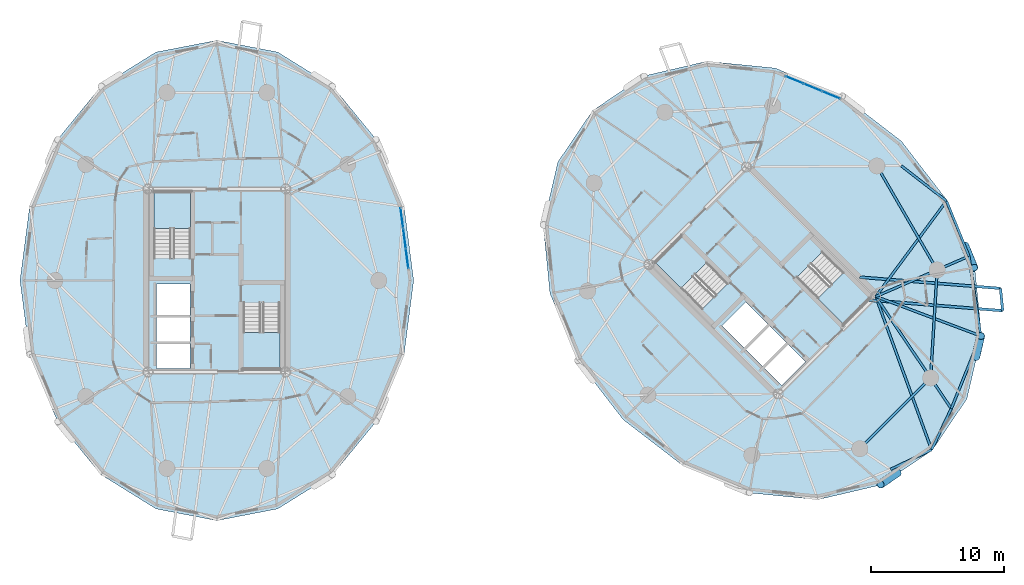
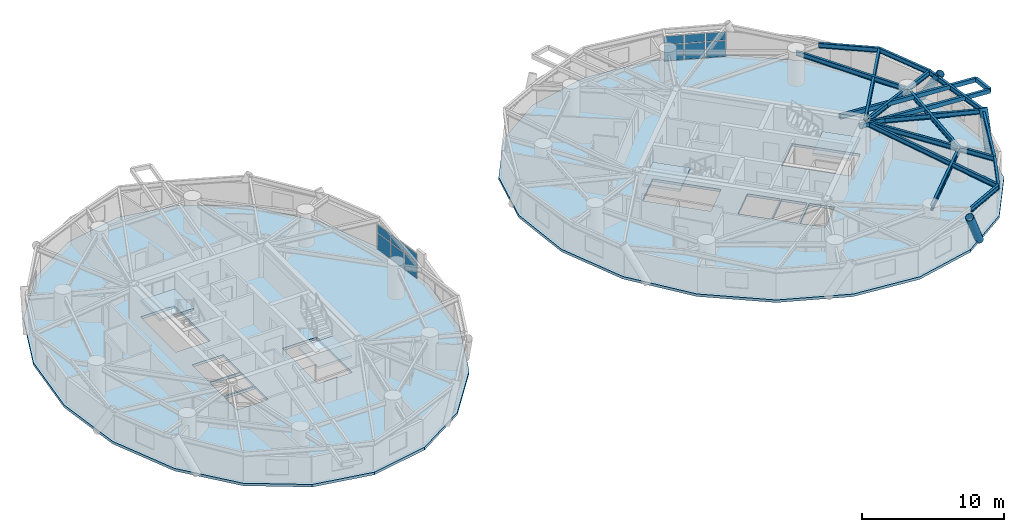
# One storey, part 9 of 18: 17 beams, 12 plates, 6 slabs, 3 members, 6 elements without a shape of their own.
"""IFC4 building model written with IfcOpenShell, lengths in metres."""

from ifc_helpers import new_model, si_unit, direction, frame, origin, origin_2d, place, context, subcontext, project, spatial, polyline, rectangle, hollow_rectangle, hollow_circle, i_section, outline, extrude, source, transform, mapped, material, layer, layer_set, material_profile, profile_set, type_object, element, aggregate, save


model = new_model("IFC4")

# Units and contexts
model_context = context("Model", 3, precision=1e-05, world=origin(), true_north=direction((0.0, 1.0)))
body_context = subcontext(model_context, "Body", "Model", "MODEL_VIEW")
ifc_project = project(units=[si_unit("LENGTHUNIT", "METRE"), si_unit("AREAUNIT", "SQUARE_METRE"), si_unit("VOLUMEUNIT", "CUBIC_METRE"), si_unit("PLANEANGLEUNIT", "RADIAN"), si_unit("MASSUNIT", "GRAM", prefix="KILO")], contexts=[model_context])

# Site, building, storey
site_placement = place(None, origin())
site = spatial("IfcSite", under=ifc_project, at=site_placement, CompositionType="ELEMENT")
building_placement = place(site_placement, origin())
building = spatial("IfcBuilding", under=site, at=building_placement, Name="Cununo Teusaquillo Station Towers", CompositionType="ELEMENT")
storey_placement = place(building_placement, frame((0.0, 0.0, 157.419921875)))
storey = spatial("IfcBuildingStorey", under=building, at=storey_placement, Name="L49", CompositionType="ELEMENT", Elevation=157.419921875)

# Beams
ifc_material_1 = material(Name="Steel EN 10025-2 S355J2", Category="steel")
ifc_material_profile_1 = material_profile(ifc_material_1, hollow_rectangle(XDim=0.199951171875, YDim=0.35009765625, WallThickness=0.013916015625, at=origin_2d()), Name="RHS 350x200x14")
ifc_profile_set_1 = profile_set([ifc_material_profile_1], Name="Steel EN 10025-2 S355J2")
beam_type_1 = type_object("IfcBeamType", Name="BM-BAL-CANT", PredefinedType="BEAM", material=ifc_profile_set_1)
beam_1_placement = place(storey_placement, frame((65.439697265625, 23.03515625, 2.51513671875), z_axis=(0.996837639445, -0.079465216198, 0.0), x_axis=(0.079465216198, 0.996837639445, 0.0)))
element("IfcBeam", 1, at=beam_1_placement, inside=storey, type_object=beam_type_1, Name="L49 Tower B Balcony Cantilever Bracket 2A", PredefinedType="BEAM", context=body_context, shape_type="SweptSolid", body=[
    extrude(hollow_rectangle(XDim=0.199951171875, YDim=0.35009765625, WallThickness=0.013916015625, at=origin_2d()), origin(), (0.0, 0.0, 1.0), 10.154052734375),
])
beam_2_placement = place(storey_placement, frame((64.8173828125, 24.74853515625, 2.51513671875), z_axis=(0.996839446438, -0.079442545434, 0.0), x_axis=(0.079442545434, 0.996839446438, 0.0)))
element("IfcBeam", 2, at=beam_2_placement, inside=storey, type_object=beam_type_1, Name="L49 Tower B Balcony Cantilever Bracket 2B", PredefinedType="BEAM", context=body_context, shape_type="SweptSolid", body=[
    extrude(hollow_rectangle(XDim=0.199951171875, YDim=0.35009765625, WallThickness=0.013916015625, at=origin_2d()), origin(), (0.0, 0.0, 1.0), 10.611572265625),
])
ifc_material_2 = material(Name="Steel ASTM A572 Grade 50", Category="steel")
ifc_material_profile_2 = material_profile(ifc_material_2, i_section(OverallWidth=0.180908203125, OverallDepth=0.4169921875, WebThickness=0.010986328125, FlangeThickness=0.018310546875, FilletRadius=0.012939453125, at=origin_2d()), Name="W16X57")
ifc_profile_set_2 = profile_set([ifc_material_profile_2], Name="Steel ASTM A572 Grade 50")
beam_type_2 = type_object("IfcBeamType", Name="BM-JOIST-1", PredefinedType="JOIST", material=ifc_profile_set_2)
beam_3_placement = place(storey_placement, frame((66.024169921875, 23.29443359375, 2.481689453125), z_axis=(0.34241791496, -0.939547748395, 0.0), x_axis=(0.939547748395, 0.34241791496, 0.0)))
element("IfcBeam", 3, at=beam_3_placement, inside=storey, type_object=beam_type_2, Name="L49 Tower B Radial Spandrel Joist V15", PredefinedType="JOIST", context=body_context, shape_type="SweptSolid", body=[
    extrude(i_section(OverallWidth=0.180908203125, OverallDepth=0.4169921875, WebThickness=0.010986328125, FlangeThickness=0.018310546875, FilletRadius=0.012939453125, at=origin_2d()), origin(), (0.0, 0.0, 1.0), 12.25634765625),
])
beam_4_placement = place(storey_placement, frame((66.024169921875, 23.29443359375, 2.481689453125), z_axis=(0.936244635323, -0.351348805076, 0.0), x_axis=(0.351348805076, 0.936244635323, 0.0)))
element("IfcBeam", 4, at=beam_4_placement, inside=storey, type_object=beam_type_2, Name="L49 Tower B Radial Spandrel Joist V17", PredefinedType="JOIST", context=body_context, shape_type="SweptSolid", body=[
    extrude(i_section(OverallWidth=0.180908203125, OverallDepth=0.4169921875, WebThickness=0.010986328125, FlangeThickness=0.018310546875, FilletRadius=0.012939453125, at=origin_2d()), origin(), (0.0, 0.0, 1.0), 8.4287109375),
])
beam_5_placement = place(storey_placement, frame((66.024169921875, 23.29443359375, 2.481689453125), z_axis=(0.594834179272, 0.803848430471, 0.0), x_axis=(-0.803848430471, 0.594834179272, 0.0)))
element("IfcBeam", 5, at=beam_5_placement, inside=storey, type_object=beam_type_2, Name="L49 Tower B Radial Spandrel Joist V19", PredefinedType="JOIST", context=body_context, shape_type="SweptSolid", body=[
    extrude(i_section(OverallWidth=0.180908203125, OverallDepth=0.4169921875, WebThickness=0.010986328125, FlangeThickness=0.018310546875, FilletRadius=0.012939453125, at=origin_2d()), origin(), (0.0, 0.0, 1.0), 8.936767578125),
])
ifc_material_3 = material(Name="Steel ASTM A572 Grade 50", Category="steel")
ifc_material_profile_3 = material_profile(ifc_material_3, i_section(OverallWidth=0.180908203125, OverallDepth=0.4169921875, WebThickness=0.010986328125, FlangeThickness=0.018310546875, FilletRadius=0.012939453125, at=origin_2d()), Name="W16X57")
ifc_profile_set_3 = profile_set([ifc_material_profile_3], Name="Steel ASTM A572 Grade 50")
beam_type_3 = type_object("IfcBeamType", Name="BM-RAD-G2", PredefinedType="BEAM", material=ifc_profile_set_3)
beam_6_placement = place(storey_placement, frame((66.024169921875, 23.29443359375, 2.481689453125), z_axis=(0.558570687133, -0.829456923219, 0.0), x_axis=(0.829456923219, 0.558570687133, 0.0)))
element("IfcBeam", 6, at=beam_6_placement, inside=storey, type_object=beam_type_3, Name="L49 Tower B Continuous Overhanging Radial Girder 09", PredefinedType="BEAM", context=body_context, shape_type="SweptSolid", body=[
    extrude(i_section(OverallWidth=0.180908203125, OverallDepth=0.4169921875, WebThickness=0.010986328125, FlangeThickness=0.018310546875, FilletRadius=0.012939453125, at=origin_2d()), origin(), (0.0, 0.0, 1.0), 10.1591796875),
])
beam_7_placement = place(storey_placement, frame((66.024169921875, 23.29443359375, 2.481689453125), z_axis=(0.917655964072, 0.397375806515, 0.0), x_axis=(-0.397375806515, 0.917655964072, 0.0)))
element("IfcBeam", 7, at=beam_7_placement, inside=storey, type_object=beam_type_3, Name="L49 Tower B Continuous Overhanging Radial Girder 10", PredefinedType="BEAM", context=body_context, shape_type="SweptSolid", body=[
    extrude(i_section(OverallWidth=0.180908203125, OverallDepth=0.4169921875, WebThickness=0.010986328125, FlangeThickness=0.018310546875, FilletRadius=0.012939453125, at=origin_2d()), origin(), (0.0, 0.0, 1.0), 7.6318359375),
])
ifc_material_4 = material(Name="Steel ASTM A572 Grade 50", Category="steel")
ifc_material_profile_4 = material_profile(ifc_material_4, i_section(OverallWidth=0.180908203125, OverallDepth=0.4169921875, WebThickness=0.010986328125, FlangeThickness=0.018310546875, FilletRadius=0.012939453125, at=origin_2d()), Name="W16X57")
ifc_profile_set_4 = profile_set([ifc_material_profile_4], Name="Steel ASTM A572 Grade 50")
beam_type_4 = type_object("IfcBeamType", Name="BM-RING-Z3", PredefinedType="SPANDREL", material=ifc_profile_set_4)
beam_8_placement = place(storey_placement, frame((64.826904296875, 11.853759765625, 2.481689453125), z_axis=(0.707106781187, 0.707106781187, 0.0), x_axis=(-0.707106781187, 0.707106781187, 0.0)))
element("IfcBeam", 8, at=beam_8_placement, inside=storey, type_object=beam_type_4, Name="L49 Tower B Structural Column Ring Girder 08", PredefinedType="SPANDREL", context=body_context, shape_type="SweptSolid", body=[
    extrude(i_section(OverallWidth=0.180908203125, OverallDepth=0.4169921875, WebThickness=0.010986328125, FlangeThickness=0.018310546875, FilletRadius=0.012939453125, at=origin_2d()), origin(), (0.0, 0.0, 1.0), 7.522705078125),
])
beam_9_placement = place(storey_placement, frame((70.146240234375, 17.173095703125, 2.481689453125), z_axis=(0.06012979176, 0.998190567048, 0.0), x_axis=(-0.998190567048, 0.06012979176, 0.0)))
element("IfcBeam", 9, at=beam_9_placement, inside=storey, type_object=beam_type_4, Name="L49 Tower B Structural Column Ring Girder 09", PredefinedType="SPANDREL", context=body_context, shape_type="SweptSolid", body=[
    extrude(i_section(OverallWidth=0.180908203125, OverallDepth=0.4169921875, WebThickness=0.010986328125, FlangeThickness=0.018310546875, FilletRadius=0.012939453125, at=origin_2d()), origin(), (0.0, 0.0, 1.0), 8.132568359375),
])
beam_10_placement = place(storey_placement, frame((70.63525390625, 25.291015625, 2.481689453125), z_axis=(-0.501311121078, 0.865267103202, 0.0), x_axis=(-0.865267103202, -0.501311121078, 0.0)))
element("IfcBeam", 10, at=beam_10_placement, inside=storey, type_object=beam_type_4, Name="L49 Tower B Structural Column Ring Girder 10", PredefinedType="SPANDREL", context=body_context, shape_type="SweptSolid", body=[
    extrude(i_section(OverallWidth=0.180908203125, OverallDepth=0.4169921875, WebThickness=0.010986328125, FlangeThickness=0.018310546875, FilletRadius=0.012939453125, at=origin_2d()), origin(), (0.0, 0.0, 1.0), 9.032958984375),
])
for number, where, z_axis, x_axis, name in (
    (11, (67.132080078125, 10.30126953125, 2.481689453125), (0.902077503555, 0.431574069634, 0.0), (-0.431574069634, 0.902077503555, 0.0), "L49 Tower B Spandrel Ring Beam 15"),
    (12, (70.220947265625, 11.779052734375, 2.481689453125), (0.431574069634, 0.902077503555, 0.0), (-0.902077503555, 0.431574069634, 0.0), "L49 Tower B Spandrel Ring Beam 16"),
):
    element("IfcBeam", number, at=place(storey_placement, frame(where, z_axis=z_axis, x_axis=x_axis)), inside=storey, type_object=beam_type_4, Name=name, PredefinedType="SPANDREL", context=body_context, shape_type="SweptSolid", body=[
        extrude(i_section(OverallWidth=0.180908203125, OverallDepth=0.4169921875, WebThickness=0.010986328125, FlangeThickness=0.018310546875, FilletRadius=0.012939453125, at=origin_2d()), origin(), (0.0, 0.0, 1.0), 3.424072265625),
    ])
beam_11_placement = place(storey_placement, frame((71.69873046875, 14.867919921875, 2.481689453125), z_axis=(0.375882869104, 0.926667183359, 0.0), x_axis=(-0.926667183359, 0.375882869104, 0.0)))
element("IfcBeam", 13, at=beam_11_placement, inside=storey, type_object=beam_type_4, Name="L49 Tower B Spandrel Ring Beam 17", PredefinedType="SPANDREL", context=body_context, shape_type="SweptSolid", body=[
    extrude(i_section(OverallWidth=0.180908203125, OverallDepth=0.4169921875, WebThickness=0.010986328125, FlangeThickness=0.018310546875, FilletRadius=0.012939453125, at=origin_2d()), origin(), (0.0, 0.0, 1.0), 5.8974609375),
])
beam_12_placement = place(storey_placement, frame((73.91552734375, 20.3330078125, 2.481689453125), z_axis=(-0.146535519435, 0.989205409176, 0.0), x_axis=(-0.989205409176, -0.146535519435, 0.0)))
element("IfcBeam", 14, at=beam_12_placement, inside=storey, type_object=beam_type_4, Name="L49 Tower B Spandrel Ring Beam 18", PredefinedType="SPANDREL", context=body_context, shape_type="SweptSolid", body=[
    extrude(i_section(OverallWidth=0.180908203125, OverallDepth=0.4169921875, WebThickness=0.010986328125, FlangeThickness=0.018310546875, FilletRadius=0.012939453125, at=origin_2d()), origin(), (0.0, 0.0, 1.0), 6.0595703125),
])
beam_13_placement = place(storey_placement, frame((73.027587890625, 26.3271484375, 2.481689453125), z_axis=(-0.376588942192, 0.926380466449, 0.0), x_axis=(-0.926380466449, -0.376588942192, 0.0)))
element("IfcBeam", 15, at=beam_13_placement, inside=storey, type_object=beam_type_4, Name="L49 Tower B Spandrel Ring Beam 19", PredefinedType="SPANDREL", context=body_context, shape_type="SweptSolid", body=[
    extrude(i_section(OverallWidth=0.180908203125, OverallDepth=0.4169921875, WebThickness=0.010986328125, FlangeThickness=0.018310546875, FilletRadius=0.012939453125, at=origin_2d()), origin(), (0.0, 0.0, 1.0), 4.48095703125),
])
beam_14_placement = place(storey_placement, frame((71.340087890625, 30.478271484375, 2.481689453125), z_axis=(-0.789900716386, 0.613234749711, 0.0), x_axis=(-0.613234749711, -0.789900716386, 0.0)))
element("IfcBeam", 16, at=beam_14_placement, inside=storey, type_object=beam_type_4, Name="L49 Tower B Spandrel Ring Beam 20", PredefinedType="SPANDREL", context=body_context, shape_type="SweptSolid", body=[
    extrude(i_section(OverallWidth=0.180908203125, OverallDepth=0.4169921875, WebThickness=0.010986328125, FlangeThickness=0.018310546875, FilletRadius=0.012939453125, at=origin_2d()), origin(), (0.0, 0.0, 1.0), 4.3115234375),
])
ifc_material_5 = material(Name="Steel EN 10025-2 S355J2", Category="steel")
ifc_material_profile_5 = material_profile(ifc_material_5, hollow_rectangle(XDim=0.199951171875, YDim=0.35009765625, WallThickness=0.013916015625, at=origin_2d()), Name="RHS 350x200x14")
ifc_profile_set_5 = profile_set([ifc_material_profile_5], Name="Steel EN 10025-2 S355J2")
beam_type_5 = type_object("IfcBeamType", Name="BM-STAIR-TRIM", PredefinedType="BEAM", material=ifc_profile_set_5)
beam_15_placement = place(storey_placement, frame((75.5615234375, 22.228271484375, 2.525146484375), z_axis=(-0.098499739753, 0.995137076622, 0.0), x_axis=(-0.995137076622, -0.098499739753, 0.0)))
element("IfcBeam", 17, at=beam_15_placement, inside=storey, type_object=beam_type_5, Name="L49 Tower B Balcony Edge Trimmer Beam 2", PredefinedType="BEAM", context=body_context, shape_type="SweptSolid", body=[
    extrude(hollow_rectangle(XDim=0.199951171875, YDim=0.35009765625, WallThickness=0.013916015625, at=origin_2d()), origin(), (0.0, 0.0, 1.0), 1.685546875),
])

# Members
ifc_material_6 = material(Name="Steel EN 10025-2 S355J2", Category="steel")
ifc_material_profile_6 = material_profile(ifc_material_6, hollow_circle(Radius=0.304931640625, WallThickness=0.02001953125, at=origin_2d()), Name="CHS 610x20")
ifc_profile_set_6 = profile_set([ifc_material_profile_6], Name="Steel EN 10025-2 S355J2")
member_type = type_object("IfcMemberType", Name="MBR-DIAG-Z3", PredefinedType="BRACE", material=ifc_profile_set_6)
member_1_placement = place(storey_placement, frame((67.6591796875, 10.047607421875, -0.139892578125), z_axis=(-0.388691571721, -0.262733570973, 0.883113771129), x_axis=(0.560009784908, -0.828485993127, 0.0)))
element("IfcMember", 18, at=member_1_placement, inside=storey, type_object=member_type, Name="L49 Tower B Folded-Zigzag Diagrid Tube C14", PredefinedType="BRACE", context=body_context, shape_type="SweptSolid", body=[
    extrude(hollow_circle(Radius=0.304931640625, WallThickness=0.02001953125, at=origin_2d()), origin(), (0.0, 0.0, 1.0), 3.295166015625),
])
member_2_placement = place(storey_placement, frame((73.5498046875, 18.762451171875, -0.139892578125), z_axis=(0.109930319982, 0.472083944222, 0.874672552648), x_axis=(-0.973942735604, 0.226794064657, 0.0)))
element("IfcMember", 19, at=member_2_placement, inside=storey, type_object=member_type, Name="L49 Tower B Folded-Zigzag Diagrid Tube C16", PredefinedType="BRACE", context=body_context, shape_type="SweptSolid", body=[
    extrude(hollow_circle(Radius=0.304931640625, WallThickness=0.02001953125, at=origin_2d()), origin(), (0.0, 0.0, 1.0), 3.326904296875),
])
member_3_placement = place(storey_placement, frame((72.7177734375, 27.127685546875, -0.139892578125), z_axis=(0.200926042636, -0.488817947752, 0.848932117042), x_axis=(0.924912371546, 0.380180358463, 0.0)))
element("IfcMember", 20, at=member_3_placement, inside=storey, type_object=member_type, Name="L49 Tower B Folded-Zigzag Diagrid Tube C18", PredefinedType="BRACE", context=body_context, shape_type="SweptSolid", body=[
    extrude(hollow_circle(Radius=0.304931640625, WallThickness=0.02001953125, at=origin_2d()), origin(), (0.0, 0.0, 1.0), 3.427734375),
])

# Stair, slab
ifc_material_7 = material(Name="Concrete C50/60", Category="concrete")
stair_type = type_object("IfcStairType", Name="ST-TWR-1300", PredefinedType="HALF_TURN_STAIR", material=ifc_material_7)
stair_1_placement = place(storey_placement, origin())
stair_1 = element("IfcStair", 21, at=stair_1_placement, inside=storey, type_object=stair_type, Name="L49 Tower A Protected Core Exit Stair 1", PredefinedType="HALF_TURN_STAIR")
ifc_material_8 = material(Name="Concrete C50/60", Category="concrete")
ifc_layer_1 = layer(ifc_material_8, 0.199951171875)
ifc_layer_set_1 = layer_set([ifc_layer_1], Name="Concrete C50/60")
slab_type_1 = type_object("IfcSlabType", Name="SLB-STAIR-LND", PredefinedType="LANDING", material=ifc_layer_set_1)
slab_1_placement = place(storey_placement, frame((0.0, 0.0, 1.255126953125)))
slab_1 = element("IfcSlab", 22, at=slab_1_placement, type_object=slab_type_1, Name="ST-T1-1 landing 1", PredefinedType="LANDING", context=body_context, shape_type="SweptSolid", body=[
    extrude(outline(polyline([(14.52001953125, 28.409912109375), (14.52001953125, 31.159912109375), (11.760009765625, 31.159912109375), (11.760009765625, 28.409912109375), (14.52001953125, 28.409912109375)])), origin(), (0.0, 0.0, 1.0), 0.199951171875),
])
aggregate(stair_1, [slab_1])

stair_2_placement = place(storey_placement, origin())
stair_2 = element("IfcStair", 23, at=stair_2_placement, inside=storey, type_object=stair_type, Name="L49 Tower A Protected Core Exit Stair 2", PredefinedType="HALF_TURN_STAIR")
slab_2_placement = place(storey_placement, frame((0.0, 0.0, 1.255126953125)))
slab_2 = element("IfcSlab", 24, at=slab_2_placement, type_object=slab_type_1, Name="ST-T1-2 landing 1", PredefinedType="LANDING", context=body_context, shape_type="SweptSolid", body=[
    extrude(outline(polyline([(18.47998046875, 20.590087890625), (18.47998046875, 17.840087890625), (21.239990234375, 17.840087890625), (21.239990234375, 20.590087890625), (18.47998046875, 20.590087890625)])), origin(), (0.0, 0.0, 1.0), 0.199951171875),
])
aggregate(stair_2, [slab_2])

stair_3_placement = place(storey_placement, origin())
stair_3 = element("IfcStair", 25, at=stair_3_placement, inside=storey, type_object=stair_type, Name="L49 Tower B Protected Core Exit Stair 1", PredefinedType="HALF_TURN_STAIR")
slab_3_placement = place(storey_placement, frame((0.0, 0.0, 1.255126953125)))
slab_3 = element("IfcSlab", 26, at=slab_3_placement, type_object=slab_type_1, Name="ST-T2-1 landing 1", PredefinedType="LANDING", context=body_context, shape_type="SweptSolid", body=[
    extrude(outline(polyline([(53.335205078125, 25.86474609375), (51.390625, 27.809326171875), (49.43896484375, 25.857666015625), (51.383544921875, 23.9130859375), (53.335205078125, 25.86474609375)])), origin(), (0.0, 0.0, 1.0), 0.199951171875),
])
aggregate(stair_3, [slab_3])

stair_4_placement = place(storey_placement, origin())
stair_4 = element("IfcStair", 27, at=stair_4_placement, inside=storey, type_object=stair_type, Name="L49 Tower B Protected Core Exit Stair 2", PredefinedType="HALF_TURN_STAIR")
slab_4_placement = place(storey_placement, frame((0.0, 0.0, 1.255126953125)))
slab_4 = element("IfcSlab", 28, at=slab_4_placement, type_object=slab_type_1, Name="ST-T2-2 landing 1", PredefinedType="LANDING", context=body_context, shape_type="SweptSolid", body=[
    extrude(outline(polyline([(61.664794921875, 23.13525390625), (63.609375, 21.190673828125), (65.56103515625, 23.142333984375), (63.616455078125, 25.0869140625), (61.664794921875, 23.13525390625)])), origin(), (0.0, 0.0, 1.0), 0.199951171875),
])
aggregate(stair_4, [slab_4])

# Slabs
ifc_material_9 = material(Name="Concrete C40/50", Category="concrete")
ifc_layer_2 = layer(ifc_material_9, 0.219970703125)
ifc_layer_set_2 = layer_set([ifc_layer_2], Name="Concrete C40/50")
slab_type_2 = type_object("IfcSlabType", Name="SLB-Z3-220", PredefinedType="FLOOR", material=ifc_layer_set_2)
slab_5_placement = place(storey_placement, frame((0.0, 0.0, -0.219970703125)))
element("IfcSlab", 29, at=slab_5_placement, inside=storey, type_object=slab_type_2, Name="L49 Tower A Floor Slab", PredefinedType="FLOOR", context=body_context, shape_type="SweptSolid", body=[
    extrude(outline(polyline([(31.294921875, 24.5), (30.57080078125, 30.077880859375), (28.469482421875, 35.109619140625), (25.1962890625, 39.102783203125), (21.072021484375, 41.66650390625), (16.5, 42.550048828125), (11.927978515625, 41.66650390625), (7.8037109375, 39.102783203125), (4.530517578125, 35.109619140625), (2.42919921875, 30.077880859375), (1.705078125, 24.5), (2.42919921875, 18.922119140625), (4.530517578125, 13.890380859375), (7.8037109375, 9.897216796875), (11.927978515625, 7.33349609375), (16.5, 6.449951171875), (21.072021484375, 7.33349609375), (25.1962890625, 9.897216796875), (28.469482421875, 13.890380859375), (30.57080078125, 18.922119140625), (31.294921875, 24.5)]), holes=[polyline([(14.52001953125, 26.176025390625), (14.52001953125, 31.159912109375), (11.760009765625, 31.159912109375), (11.760009765625, 26.176025390625), (14.52001953125, 26.176025390625)]), polyline([(18.47998046875, 22.823974609375), (18.47998046875, 17.840087890625), (21.239990234375, 17.840087890625), (21.239990234375, 22.823974609375), (18.47998046875, 22.823974609375)]), polyline([(11.949951171875, 21.85009765625), (14.47998046875, 21.85009765625), (14.47998046875, 24.25), (11.949951171875, 24.25), (11.949951171875, 21.85009765625)]), polyline([(11.949951171875, 17.89990234375), (14.47998046875, 17.89990234375), (14.47998046875, 19.75), (11.949951171875, 19.75), (11.949951171875, 17.89990234375)]), polyline([(11.949951171875, 19.89990234375), (14.47998046875, 19.89990234375), (14.47998046875, 21.75), (11.949951171875, 21.75), (11.949951171875, 19.89990234375)])]), origin(), (0.0, 0.0, 1.0), 0.219970703125),
])
slab_6_placement = place(storey_placement, frame((0.0, 0.0, -0.219970703125)))
element("IfcSlab", 30, at=slab_6_placement, inside=storey, type_object=slab_type_2, Name="L49 Tower B Floor Slab", PredefinedType="FLOOR", context=body_context, shape_type="SweptSolid", body=[
    extrude(outline(polyline([(67.961669921875, 34.961669921875), (63.505615234375, 38.393798828125), (58.461669921875, 40.4658203125), (53.323486328125, 40.97509765625), (48.59423828125, 39.871337890625), (44.73681640625, 37.26318359375), (42.128662109375, 33.40576171875), (41.02490234375, 28.676513671875), (41.5341796875, 23.538330078125), (43.606201171875, 18.494384765625), (47.038330078125, 14.038330078125), (51.494384765625, 10.606201171875), (56.538330078125, 8.5341796875), (61.676513671875, 8.02490234375), (66.40576171875, 9.128662109375), (70.26318359375, 11.73681640625), (72.871337890625, 15.59423828125), (73.97509765625, 20.323486328125), (73.4658203125, 25.461669921875), (71.393798828125, 30.505615234375), (67.961669921875, 34.961669921875)]), holes=[polyline([(54.914794921875, 24.28515625), (51.390625, 27.809326171875), (49.43896484375, 25.857666015625), (52.963134765625, 22.33349609375), (54.914794921875, 24.28515625)]), polyline([(60.085205078125, 24.71484375), (63.609375, 21.190673828125), (65.56103515625, 23.142333984375), (62.036865234375, 26.66650390625), (60.085205078125, 24.71484375)]), polyline([(56.156494140625, 19.40869140625), (57.945556640625, 21.19775390625), (56.248291015625, 22.89501953125), (54.45947265625, 21.10595703125), (56.156494140625, 19.40869140625)]), polyline([(58.94970703125, 16.61572265625), (60.738525390625, 18.40478515625), (59.430419921875, 19.712890625), (57.641357421875, 17.923828125), (58.94970703125, 16.61572265625)]), polyline([(57.535400390625, 18.030029296875), (59.32421875, 19.819091796875), (58.01611328125, 21.127197265625), (56.227294921875, 19.338134765625), (57.535400390625, 18.030029296875)])]), origin(), (0.0, 0.0, 1.0), 0.219970703125),
])

# Curtain wall, plates
ifc_material_10 = material(Name="Operable acoustic tinted low-E double glazing", Category="glass")
ifc_layer_3 = layer(ifc_material_10, 0.179931640625)
ifc_layer_set_3 = layer_set([ifc_layer_3], Name="Operable acoustic tinted low-E double glazing")
curtain_wall_type = type_object("IfcCurtainWallType", Name="CW-SYS-06", PredefinedType="USERDEFINED", material=ifc_layer_set_3)
curtain_wall_1_placement = place(storey_placement, origin())
curtain_wall_1 = element("IfcCurtainWall", 31, at=curtain_wall_1_placement, inside=storey, type_object=curtain_wall_type, Name="L49 Tower A Facade Curtain Wall C00", ObjectType="OPERABLE GLAZING", PredefinedType="USERDEFINED")
ifc_material_11 = material(Name="Operable acoustic tinted low-E double glazing", Category="glass")
ifc_layer_4 = layer(ifc_material_11, 0.031982421875)
ifc_layer_set_4 = layer_set([ifc_layer_4], Name="Operable acoustic tinted low-E double glazing")
plate_type = type_object("IfcPlateType", Name="CWP-OPER-32", PredefinedType="CURTAIN_PANEL", material=ifc_layer_set_4)
shared_shape_1 = source(origin(), body_context, "Body", "SweptSolid", [
    extrude(rectangle(XDim=1.46484375, YDim=0.031982421875, at=origin_2d()), origin(), (0.0, 0.0, 1.0), 1.361572265625),
])
plate_1_placement = place(storey_placement, frame((30.406982421875, 29.200439453125, 0.06494140625), z_axis=(0.0, 0.0, 1.0), x_axis=(0.128292898403, -0.991736321922, 0.0)))
plate_1 = element("IfcPlate", 32, at=plate_1_placement, type_object=plate_type, Name="CW-06 panel 1.1", PredefinedType="CURTAIN_PANEL", context=body_context, shape_type="MappedRepresentation", body=[
    mapped(shared_shape_1, transform((0.0, 0.0, 0.0), x_axis=(1.0, 0.0, 0.0), y_axis=(0.0, 1.0, 0.0), z_axis=(0.0, 0.0, 1.0), scale=1.0)),
])
plate_2_placement = place(storey_placement, frame((30.8037109375, 26.1337890625, 0.06494140625), z_axis=(0.0, 0.0, 1.0), x_axis=(0.128292898403, -0.991736321922, 0.0)))
plate_2 = element("IfcPlate", 33, at=plate_2_placement, type_object=plate_type, Name="CW-06 panel 3.1", PredefinedType="CURTAIN_PANEL", context=body_context, shape_type="MappedRepresentation", body=[
    mapped(shared_shape_1, transform((0.0, 0.0, 0.0), x_axis=(1.0, 0.0, 0.0), y_axis=(0.0, 1.0, 0.0), z_axis=(0.0, 0.0, 1.0), scale=1.0)),
])
shared_shape_2 = source(origin(), body_context, "Body", "SweptSolid", [
    extrude(rectangle(XDim=1.46484375, YDim=0.031982421875, at=origin_2d()), origin(), (0.0, 0.0, 1.0), 0.6884765625),
])
plate_3_placement = place(storey_placement, frame((30.406982421875, 29.200439453125, 1.49169921875), z_axis=(0.0, 0.0, 1.0), x_axis=(0.128292898403, -0.991736321922, 0.0)))
plate_3 = element("IfcPlate", 34, at=plate_3_placement, type_object=plate_type, Name="CW-06 panel 1.2", PredefinedType="CURTAIN_PANEL", context=body_context, shape_type="MappedRepresentation", body=[
    mapped(shared_shape_2, transform((0.0, 0.0, 0.0), x_axis=(1.0, 0.0, 0.0), y_axis=(0.0, 1.0, 0.0), z_axis=(0.0, 0.0, 1.0), scale=1.0)),
])
plate_4_placement = place(storey_placement, frame((30.8037109375, 26.1337890625, 1.49169921875), z_axis=(0.0, 0.0, 1.0), x_axis=(0.128292898403, -0.991736321922, 0.0)))
plate_4 = element("IfcPlate", 35, at=plate_4_placement, type_object=plate_type, Name="CW-06 panel 3.2", PredefinedType="CURTAIN_PANEL", context=body_context, shape_type="MappedRepresentation", body=[
    mapped(shared_shape_2, transform((0.0, 0.0, 0.0), x_axis=(1.0, 0.0, 0.0), y_axis=(0.0, 1.0, 0.0), z_axis=(0.0, 0.0, 1.0), scale=1.0)),
])
shared_shape_3 = source(origin(), body_context, "Body", "SweptSolid", [
    extrude(rectangle(XDim=1.497314453125, YDim=0.031982421875, at=origin_2d()), origin(), (0.0, 0.0, 1.0), 1.361572265625),
])
plate_5_placement = place(storey_placement, frame((30.605224609375, 27.6669921875, 0.06494140625), z_axis=(0.0, 0.0, 1.0), x_axis=(0.128292898403, -0.991736321922, 0.0)))
plate_5 = element("IfcPlate", 36, at=plate_5_placement, type_object=plate_type, Name="CW-06 panel 2.1", PredefinedType="CURTAIN_PANEL", context=body_context, shape_type="MappedRepresentation", body=[
    mapped(shared_shape_3, transform((0.0, 0.0, 0.0), x_axis=(1.0, 0.0, 0.0), y_axis=(0.0, 1.0, 0.0), z_axis=(0.0, 0.0, 1.0), scale=1.0)),
])
shared_shape_4 = source(origin(), body_context, "Body", "SweptSolid", [
    extrude(rectangle(XDim=1.497314453125, YDim=0.031982421875, at=origin_2d()), origin(), (0.0, 0.0, 1.0), 0.6884765625),
])
plate_6_placement = place(storey_placement, frame((30.605224609375, 27.6669921875, 1.49169921875), z_axis=(0.0, 0.0, 1.0), x_axis=(0.128292898403, -0.991736321922, 0.0)))
plate_6 = element("IfcPlate", 37, at=plate_6_placement, type_object=plate_type, Name="CW-06 panel 2.2", PredefinedType="CURTAIN_PANEL", context=body_context, shape_type="MappedRepresentation", body=[
    mapped(shared_shape_4, transform((0.0, 0.0, 0.0), x_axis=(1.0, 0.0, 0.0), y_axis=(0.0, 1.0, 0.0), z_axis=(0.0, 0.0, 1.0), scale=1.0)),
])
aggregate(curtain_wall_1, [plate_1, plate_3, plate_5, plate_6, plate_2, plate_4])

curtain_wall_2_placement = place(storey_placement, origin())
curtain_wall_2 = element("IfcCurtainWall", 38, at=curtain_wall_2_placement, inside=storey, type_object=curtain_wall_type, Name="L49 Tower B Facade Curtain Wall C01", ObjectType="OPERABLE GLAZING", PredefinedType="USERDEFINED")
shared_shape_5 = source(origin(), body_context, "Body", "SweptSolid", [
    extrude(rectangle(XDim=1.40771484375, YDim=0.031982421875, at=origin_2d()), origin(), (0.0, 0.0, 1.0), 1.361572265625),
])
plate_7_placement = place(storey_placement, frame((59.91455078125, 39.572265625, 0.06494140625), z_axis=(0.0, 0.0, 1.0), x_axis=(0.924524840588, -0.381121790423, 0.0)))
plate_7 = element("IfcPlate", 39, at=plate_7_placement, type_object=plate_type, Name="CW-06 panel 1.1", PredefinedType="CURTAIN_PANEL", context=body_context, shape_type="MappedRepresentation", body=[
    mapped(shared_shape_5, transform((0.0, 0.0, 0.0), x_axis=(1.0, 0.0, 0.0), y_axis=(0.0, 1.0, 0.0), z_axis=(0.0, 0.0, 1.0), scale=1.0)),
])
plate_8_placement = place(storey_placement, frame((62.667724609375, 38.437255859375, 0.06494140625), z_axis=(0.0, 0.0, 1.0), x_axis=(0.924524840588, -0.381121790423, 0.0)))
plate_8 = element("IfcPlate", 40, at=plate_8_placement, type_object=plate_type, Name="CW-06 panel 3.1", PredefinedType="CURTAIN_PANEL", context=body_context, shape_type="MappedRepresentation", body=[
    mapped(shared_shape_5, transform((0.0, 0.0, 0.0), x_axis=(1.0, 0.0, 0.0), y_axis=(0.0, 1.0, 0.0), z_axis=(0.0, 0.0, 1.0), scale=1.0)),
])
shared_shape_6 = source(origin(), body_context, "Body", "SweptSolid", [
    extrude(rectangle(XDim=1.40771484375, YDim=0.031982421875, at=origin_2d()), origin(), (0.0, 0.0, 1.0), 0.6884765625),
])
plate_9_placement = place(storey_placement, frame((59.91455078125, 39.572265625, 1.49169921875), z_axis=(0.0, 0.0, 1.0), x_axis=(0.924524840588, -0.381121790423, 0.0)))
plate_9 = element("IfcPlate", 41, at=plate_9_placement, type_object=plate_type, Name="CW-06 panel 1.2", PredefinedType="CURTAIN_PANEL", context=body_context, shape_type="MappedRepresentation", body=[
    mapped(shared_shape_6, transform((0.0, 0.0, 0.0), x_axis=(1.0, 0.0, 0.0), y_axis=(0.0, 1.0, 0.0), z_axis=(0.0, 0.0, 1.0), scale=1.0)),
])
plate_10_placement = place(storey_placement, frame((62.667724609375, 38.437255859375, 1.49169921875), z_axis=(0.0, 0.0, 1.0), x_axis=(0.924524840588, -0.381121790423, 0.0)))
plate_10 = element("IfcPlate", 42, at=plate_10_placement, type_object=plate_type, Name="CW-06 panel 3.2", PredefinedType="CURTAIN_PANEL", context=body_context, shape_type="MappedRepresentation", body=[
    mapped(shared_shape_6, transform((0.0, 0.0, 0.0), x_axis=(1.0, 0.0, 0.0), y_axis=(0.0, 1.0, 0.0), z_axis=(0.0, 0.0, 1.0), scale=1.0)),
])
shared_shape_7 = source(origin(), body_context, "Body", "SweptSolid", [
    extrude(rectangle(XDim=1.440185546875, YDim=0.031982421875, at=origin_2d()), origin(), (0.0, 0.0, 1.0), 1.361572265625),
])
plate_11_placement = place(storey_placement, frame((61.291015625, 39.004638671875, 0.06494140625), z_axis=(0.0, 0.0, 1.0), x_axis=(0.924524840588, -0.381121790423, 0.0)))
plate_11 = element("IfcPlate", 43, at=plate_11_placement, type_object=plate_type, Name="CW-06 panel 2.1", PredefinedType="CURTAIN_PANEL", context=body_context, shape_type="MappedRepresentation", body=[
    mapped(shared_shape_7, transform((0.0, 0.0, 0.0), x_axis=(1.0, 0.0, 0.0), y_axis=(0.0, 1.0, 0.0), z_axis=(0.0, 0.0, 1.0), scale=1.0)),
])
shared_shape_8 = source(origin(), body_context, "Body", "SweptSolid", [
    extrude(rectangle(XDim=1.440185546875, YDim=0.031982421875, at=origin_2d()), origin(), (0.0, 0.0, 1.0), 0.6884765625),
])
plate_12_placement = place(storey_placement, frame((61.291015625, 39.004638671875, 1.49169921875), z_axis=(0.0, 0.0, 1.0), x_axis=(0.924524840588, -0.381121790423, 0.0)))
plate_12 = element("IfcPlate", 44, at=plate_12_placement, type_object=plate_type, Name="CW-06 panel 2.2", PredefinedType="CURTAIN_PANEL", context=body_context, shape_type="MappedRepresentation", body=[
    mapped(shared_shape_8, transform((0.0, 0.0, 0.0), x_axis=(1.0, 0.0, 0.0), y_axis=(0.0, 1.0, 0.0), z_axis=(0.0, 0.0, 1.0), scale=1.0)),
])
aggregate(curtain_wall_2, [plate_7, plate_9, plate_11, plate_12, plate_8, plate_10])

save(model, "model.ifc")
